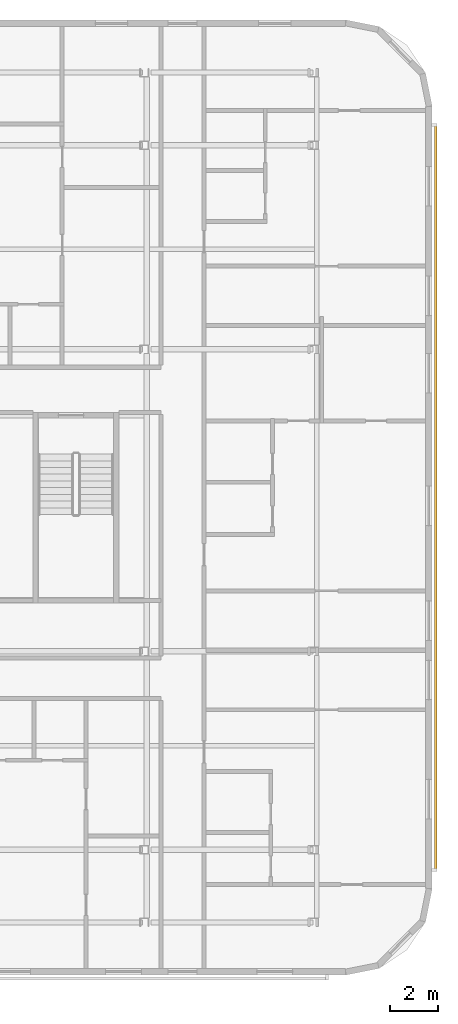
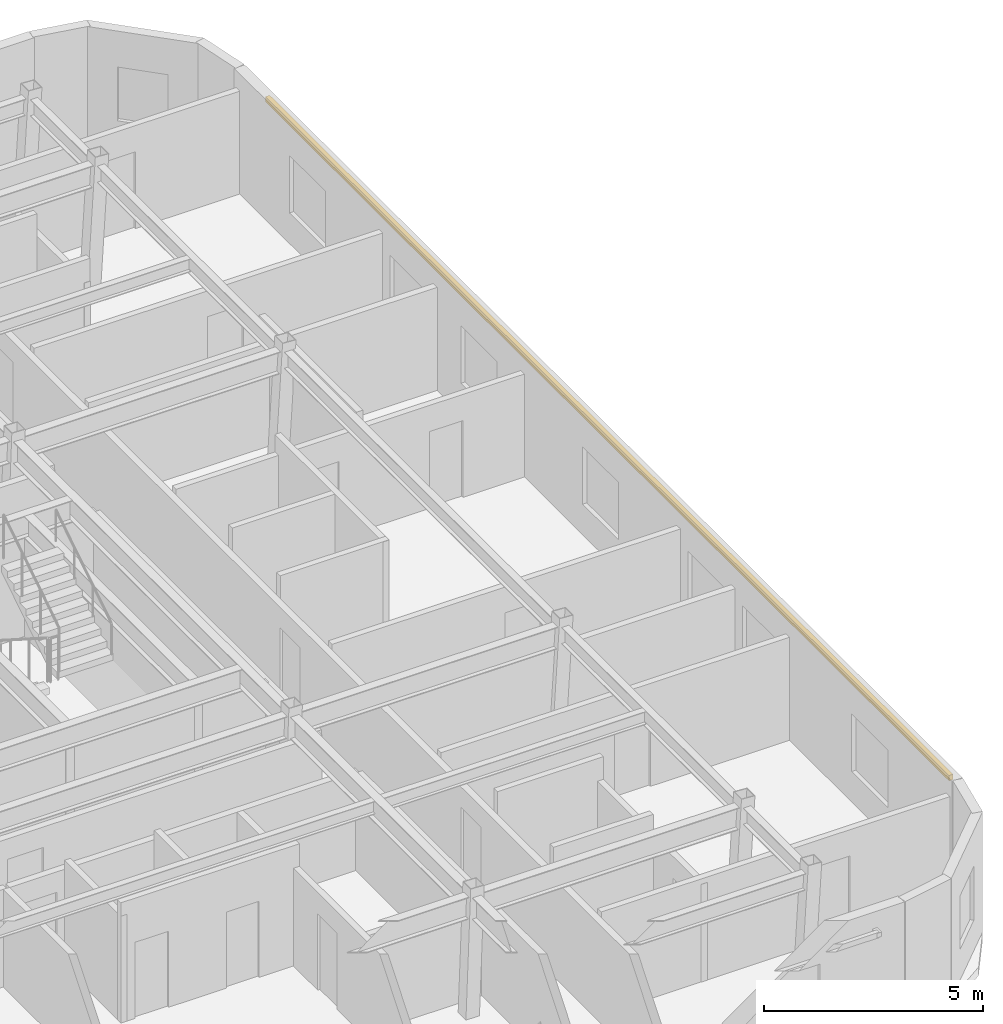
# One storey, part 11 of 11: 1 shading device.
"""IFC4 building model written with IfcOpenShell, lengths in metres."""

from ifc_helpers import new_model, si_unit, direction, frame, origin, origin_2d, place, context, subcontext, project, spatial, rectangle, extrude, material, material_profile, profile_set, type_object, element, save


model = new_model("IFC4")

# Units and contexts
model_context = context("Model", 3, precision=1e-05, world=origin(), true_north=direction((0.0, 1.0)))
body_context = subcontext(model_context, "Body", "Model", "MODEL_VIEW")
ifc_project = project(units=[si_unit("LENGTHUNIT", "METRE"), si_unit("AREAUNIT", "SQUARE_METRE"), si_unit("VOLUMEUNIT", "CUBIC_METRE"), si_unit("PLANEANGLEUNIT", "RADIAN"), si_unit("MASSUNIT", "GRAM", prefix="KILO")], contexts=[model_context])

# Site, building, storey
site_placement = place(None, origin())
site = spatial("IfcSite", under=ifc_project, at=site_placement, CompositionType="ELEMENT")
building_placement = place(site_placement, origin())
building = spatial("IfcBuilding", under=site, at=building_placement, Name="Ochreholt Gables", CompositionType="ELEMENT")
storey_placement = place(building_placement, frame((0.0, 0.0, 188.39990234375)))
storey = spatial("IfcBuildingStorey", under=building, at=storey_placement, Name="L49", CompositionType="ELEMENT", Elevation=188.39990234375)

# Shading device
ifc_material = material(Name="Warm Ochre Glazed Terracotta Baguette", Category="masonry")
ifc_material_profile = material_profile(ifc_material, rectangle(XDim=0.110107421875, YDim=0.14990234375, at=origin_2d()), Name="TCBAG110X150")
ifc_profile_set = profile_set([ifc_material_profile], Name="Warm Ochre Glazed Terracotta Baguette")
shading_device_type = type_object("IfcShadingDeviceType", Name="SHD-BAGUETTE", PredefinedType="USERDEFINED", material=ifc_profile_set)
shading_device_placement = place(storey_placement, frame((58.75, 8.39990234375, 2.830078125), z_axis=(0.0, 1.0, 0.0), x_axis=(-1.0, 0.0, 0.0)))
element("IfcShadingDevice", 1, at=shading_device_placement, inside=storey, type_object=shading_device_type, Name="L49 Terracotta Baguette Screen E-1", ObjectType="BAGUETTE", PredefinedType="USERDEFINED", context=body_context, shape_type="SweptSolid", body=[
    extrude(rectangle(XDim=0.110107421875, YDim=0.14990234375, at=origin_2d()), origin(), (0.0, 0.0, 1.0), 31.2001953125),
])

save(model, "model.ifc")
